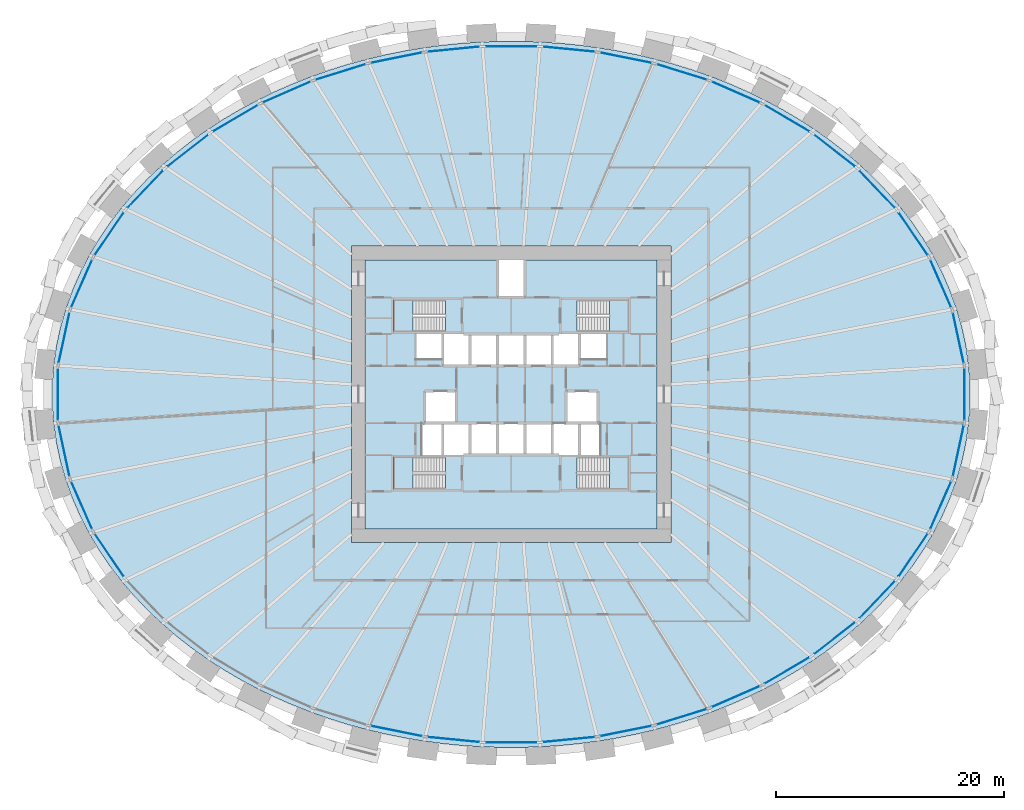
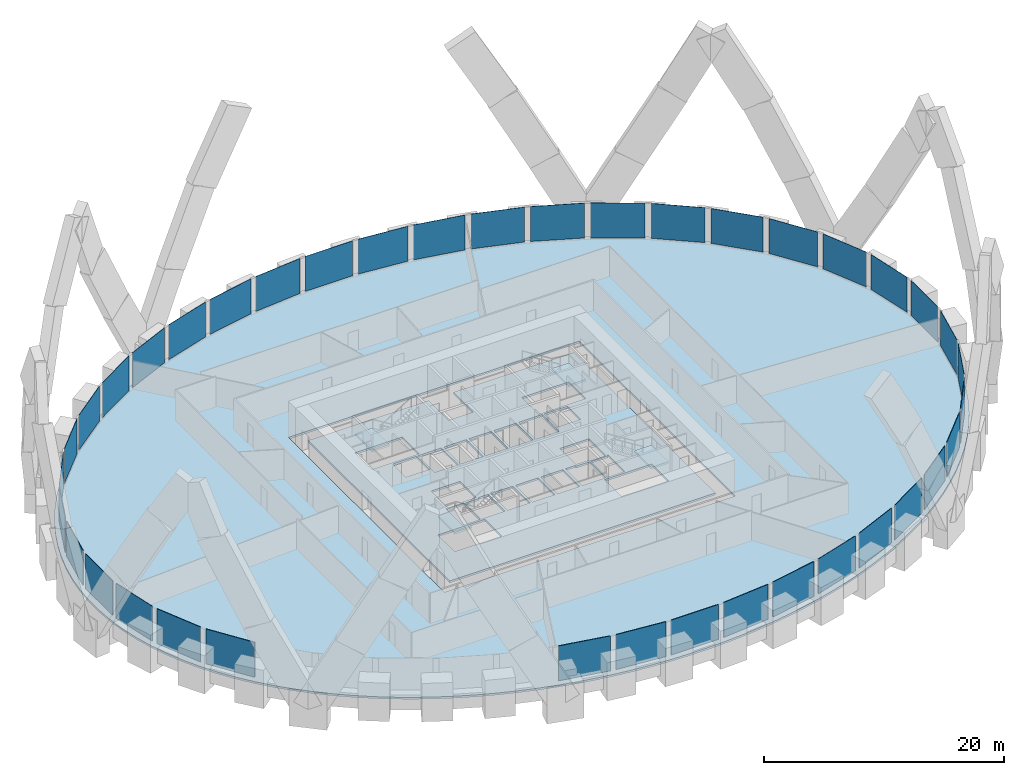
# One storey, part 6 of 12: 39 plates, 6 slabs, 5 elements without a shape of their own.
"""IFC4 building model written with IfcOpenShell, lengths in metres."""

from ifc_helpers import new_model, si_unit, direction, frame, origin, origin_2d, place, context, subcontext, project, spatial, polyline, rectangle, outline, extrude, source, transform, mapped, material, layer, layer_set, type_object, element, aggregate, save


model = new_model("IFC4")

# Units and contexts
model_context = context("Model", 3, precision=1e-05, world=origin(), true_north=direction((0.0, 1.0)))
body_context = subcontext(model_context, "Body", "Model", "MODEL_VIEW")
ifc_project = project(units=[si_unit("LENGTHUNIT", "METRE"), si_unit("AREAUNIT", "SQUARE_METRE"), si_unit("VOLUMEUNIT", "CUBIC_METRE"), si_unit("PLANEANGLEUNIT", "RADIAN"), si_unit("MASSUNIT", "GRAM", prefix="KILO")], contexts=[model_context])

# Site, building, storey
site_placement = place(None, origin())
site = spatial("IfcSite", under=ifc_project, at=site_placement, CompositionType="ELEMENT")
building_placement = place(site_placement, origin())
building = spatial("IfcBuilding", under=site, at=building_placement, Name="Embergate Tower", CompositionType="ELEMENT")
storey_placement = place(building_placement, frame((0.0, 0.0, 85.39990234375)))
storey = spatial("IfcBuildingStorey", under=building, at=storey_placement, Name="L17", CompositionType="ELEMENT", Elevation=85.39990234375)

# Slab
ifc_material_1 = material(Name="Concrete C40", Category="concrete")
ifc_layer_1 = layer(ifc_material_1, 0.199951171875)
ifc_layer_set_1 = layer_set([ifc_layer_1], Name="Concrete C40")
slab_type_1 = type_object("IfcSlabType", Name="Composite floor slab C40 200", PredefinedType="FLOOR", material=ifc_layer_set_1)
shared_shape_1 = source(origin(), body_context, "Body", "SweptSolid", [
    extrude(outline(polyline([(0.0, 0.0), (1.7021484375, 0.0), (3.404052734375, 0.054931640625), (5.10595703125, 0.166015625), (6.801025390625, 0.3330078125), (8.485107421875, 0.554931640625), (10.171142578125, 0.833984375), (11.841064453125, 1.1689453125), (13.489990234375, 1.558837890625), (15.14306640625, 2.010009765625), (16.76904296875, 2.515869140625), (18.364013671875, 3.076904296875), (19.962158203125, 3.704833984375), (21.52197265625, 4.386962890625), (23.041015625, 5.121826171875), (24.55908203125, 5.931884765625), (26.026123046875, 6.794921875), (27.441162109375, 7.708984375), (28.84619140625, 8.705810546875), (30.18798828125, 9.7529296875), (31.464111328125, 10.848876953125), (32.716064453125, 12.033935546875), (33.89111328125, 13.265869140625), (34.985107421875, 14.541015625), (36.03515625, 15.908935546875), (36.9921875, 17.31591796875), (37.85400390625, 18.759033203125), (38.64404296875, 20.286865234375), (39.3271484375, 21.844970703125), (39.902099609375, 23.428955078125), (40.376953125, 25.074951171875), (40.735107421875, 26.73779296875), (40.97412109375, 28.412841796875), (41.09619140625, 30.11181640625), (41.09619140625, 31.81201171875), (40.97412109375, 33.510986328125), (40.735107421875, 35.18603515625), (40.376953125, 36.848876953125), (39.902099609375, 38.494873046875), (39.3271484375, 40.078857421875), (38.64404296875, 41.636962890625), (37.85400390625, 43.164794921875), (36.9921875, 44.60791015625), (36.03515625, 46.014892578125), (34.985107421875, 47.3828125), (33.89111328125, 48.657958984375), (32.716064453125, 49.889892578125), (31.464111328125, 51.074951171875), (30.18798828125, 52.1708984375), (28.84619140625, 53.218017578125), (27.441162109375, 54.21484375), (26.026123046875, 55.12890625), (24.55908203125, 55.991943359375), (23.041015625, 56.802001953125), (21.52197265625, 57.536865234375), (19.962158203125, 58.218994140625), (18.364013671875, 58.846923828125), (16.76904296875, 59.407958984375), (15.14306640625, 59.913818359375), (13.489990234375, 60.364990234375), (11.841064453125, 60.7548828125), (10.171142578125, 61.08984375), (8.485107421875, 61.368896484375), (6.801025390625, 61.5908203125), (5.10595703125, 61.7578125), (3.404052734375, 61.868896484375), (1.7021484375, 61.923828125), (0.0, 61.923828125), (-1.701904296875, 61.868896484375), (-3.40380859375, 61.7578125), (-5.098876953125, 61.5908203125), (-6.782958984375, 61.368896484375), (-8.468994140625, 61.08984375), (-10.138916015625, 60.7548828125), (-11.787841796875, 60.364990234375), (-13.44091796875, 59.913818359375), (-15.06689453125, 59.407958984375), (-16.661865234375, 58.846923828125), (-18.260009765625, 58.218994140625), (-19.81982421875, 57.536865234375), (-21.3388671875, 56.802001953125), (-22.85693359375, 55.991943359375), (-24.323974609375, 55.12890625), (-25.739013671875, 54.21484375), (-27.14404296875, 53.218017578125), (-28.48583984375, 52.1708984375), (-29.761962890625, 51.074951171875), (-31.013916015625, 49.889892578125), (-32.18896484375, 48.657958984375), (-33.282958984375, 47.3828125), (-34.3330078125, 46.014892578125), (-35.2900390625, 44.60791015625), (-36.15185546875, 43.164794921875), (-36.94189453125, 41.636962890625), (-37.625, 40.078857421875), (-38.199951171875, 38.494873046875), (-38.6748046875, 36.848876953125), (-39.032958984375, 35.18603515625), (-39.27197265625, 33.510986328125), (-39.39404296875, 31.81201171875), (-39.39404296875, 30.11181640625), (-39.27197265625, 28.412841796875), (-39.032958984375, 26.73779296875), (-38.6748046875, 25.074951171875), (-38.199951171875, 23.428955078125), (-37.625, 21.844970703125), (-36.94189453125, 20.286865234375), (-36.15185546875, 18.759033203125), (-35.2900390625, 17.31591796875), (-34.3330078125, 15.908935546875), (-33.282958984375, 14.541015625), (-32.18896484375, 13.265869140625), (-31.013916015625, 12.033935546875), (-29.761962890625, 10.848876953125), (-28.48583984375, 9.7529296875), (-27.14404296875, 8.705810546875), (-25.739013671875, 7.708984375), (-24.323974609375, 6.794921875), (-22.85693359375, 5.931884765625), (-21.3388671875, 5.121826171875), (-19.81982421875, 4.386962890625), (-18.260009765625, 3.704833984375), (-16.661865234375, 3.076904296875), (-15.06689453125, 2.515869140625), (-13.44091796875, 2.010009765625), (-11.787841796875, 1.558837890625), (-10.138916015625, 1.1689453125), (-8.468994140625, 0.833984375), (-6.782958984375, 0.554931640625), (-5.098876953125, 0.3330078125), (-3.40380859375, 0.166015625), (-1.701904296875, 0.054931640625), (0.0, 0.0)]), holes=[polyline([(-13.14892578125, 17.9619140625), (-13.14892578125, 43.9619140625), (14.85107421875, 43.9619140625), (14.85107421875, 17.9619140625), (-13.14892578125, 17.9619140625)])]), origin(), (0.0, 0.0, 1.0), 0.199951171875),
])
slab_1_placement = place(storey_placement, frame((-0.85107421875, -30.9619140625, -0.199951171875)))
element("IfcSlab", 1, at=slab_1_placement, inside=storey, type_object=slab_type_1, Name="SLB-L17-00", PredefinedType="FLOOR", context=body_context, shape_type="MappedRepresentation", body=[
    mapped(shared_shape_1, transform((0.0, 0.0, 0.0))),
])

# Curtain wall, plates
ifc_material_2 = material(Name="Aluminium and glass", Category="aluminium")
curtain_wall_type = type_object("IfcCurtainWallType", Name="Recessed office glazing", PredefinedType="NOTDEFINED", material=ifc_material_2)
curtain_wall_placement = place(storey_placement, origin())
curtain_wall = element("IfcCurtainWall", 2, at=curtain_wall_placement, inside=storey, type_object=curtain_wall_type, Name="Recessed office glazing ring", ObjectType="RECESSED OFFICE GLAZING", PredefinedType="USERDEFINED")
ifc_material_3 = material(Name="Triple glazing, low-emissivity coating", Category="glass")
ifc_layer_2 = layer(ifc_material_3, 0.035888671875)
ifc_layer_set_2 = layer_set([ifc_layer_2], Name="Triple glazing, low-emissivity coating")
plate_type = type_object("IfcPlateType", Name="Office glazing unit", PredefinedType="CURTAIN_PANEL", material=ifc_layer_set_2)
shared_shape_2 = source(origin(), body_context, "Body", "SweptSolid", [
    extrude(rectangle(XDim=4.529296875, YDim=0.035888671875, at=origin_2d()), origin(), (0.0, 0.0, 1.0), 3.550048828125),
])
plate_1_placement = place(storey_placement, frame((28.36181640625, 21.376953125, 0.14990234375), z_axis=(0.0, 0.0, 1.0), x_axis=(-0.788321193094, 0.615263924279, 0.0)))
plate_1 = element("IfcPlate", 3, at=plate_1_placement, type_object=plate_type, Name="CW panel 5.1", PredefinedType="CURTAIN_PANEL", context=body_context, shape_type="MappedRepresentation", body=[
    mapped(shared_shape_2, transform((0.0, 0.0, 0.0))),
])
plate_2_placement = place(storey_placement, frame((-28.36181640625, 21.376953125, 0.14990234375), z_axis=(0.0, 0.0, 1.0), x_axis=(-0.788321193094, -0.615263924279, 0.0)))
plate_2 = element("IfcPlate", 4, at=plate_2_placement, type_object=plate_type, Name="CW panel 17.1", PredefinedType="CURTAIN_PANEL", context=body_context, shape_type="MappedRepresentation", body=[
    mapped(shared_shape_2, transform((0.0, 0.0, 0.0))),
])
plate_3_placement = place(storey_placement, frame((28.36181640625, -21.376953125, 0.14990234375), z_axis=(0.0, 0.0, 1.0), x_axis=(0.788321193094, 0.615263924279, 0.0)))
plate_3 = element("IfcPlate", 5, at=plate_3_placement, type_object=plate_type, Name="CW panel 39.1", PredefinedType="CURTAIN_PANEL", context=body_context, shape_type="MappedRepresentation", body=[
    mapped(shared_shape_2, transform((0.0, 0.0, 0.0))),
])
shared_shape_3 = source(origin(), body_context, "Body", "SweptSolid", [
    extrude(rectangle(XDim=4.4970703125, YDim=0.035888671875, at=origin_2d()), origin(), (0.0, 0.0, 1.0), 3.550048828125),
])
plate_4_placement = place(storey_placement, frame((39.2080078125, 4.959716796875, 0.14990234375), z_axis=(0.0, 0.0, 1.0), x_axis=(-0.210398391177, 0.97761573074, 0.0)))
plate_4 = element("IfcPlate", 6, at=plate_4_placement, type_object=plate_type, Name="CW panel 1.1", PredefinedType="CURTAIN_PANEL", context=body_context, shape_type="MappedRepresentation", body=[
    mapped(shared_shape_3, transform((0.0, 0.0, 0.0))),
])
plate_5_placement = place(storey_placement, frame((-39.2080078125, 4.959716796875, 0.14990234375), z_axis=(0.0, 0.0, 1.0), x_axis=(-0.210398391177, -0.97761573074, 0.0)))
plate_5 = element("IfcPlate", 7, at=plate_5_placement, type_object=plate_type, Name="CW panel 21.1", PredefinedType="CURTAIN_PANEL", context=body_context, shape_type="MappedRepresentation", body=[
    mapped(shared_shape_3, transform((0.0, 0.0, 0.0))),
])
plate_6_placement = place(storey_placement, frame((-39.2080078125, -4.959716796875, 0.14990234375), z_axis=(0.0, 0.0, 1.0), x_axis=(0.210398391177, -0.97761573074, 0.0)))
plate_6 = element("IfcPlate", 8, at=plate_6_placement, type_object=plate_type, Name="CW panel 23.1", PredefinedType="CURTAIN_PANEL", context=body_context, shape_type="MappedRepresentation", body=[
    mapped(shared_shape_3, transform((0.0, 0.0, 0.0))),
])
plate_7_placement = place(storey_placement, frame((39.2080078125, -4.959716796875, 0.14990234375), z_axis=(0.0, 0.0, 1.0), x_axis=(0.210398391177, 0.97761573074, 0.0)))
plate_7 = element("IfcPlate", 9, at=plate_7_placement, type_object=plate_type, Name="CW panel 43.1", PredefinedType="CURTAIN_PANEL", context=body_context, shape_type="MappedRepresentation", body=[
    mapped(shared_shape_3, transform((0.0, 0.0, 0.0))),
])
shared_shape_4 = source(origin(), body_context, "Body", "SweptSolid", [
    extrude(rectangle(XDim=4.504150390625, YDim=0.035888671875, at=origin_2d()), origin(), (0.0, 0.0, 1.0), 3.550048828125),
])
plate_8_placement = place(storey_placement, frame((37.671142578125, 9.71240234375, 0.14990234375), z_axis=(0.0, 0.0, 1.0), x_axis=(-0.401652101157, 0.91579232888, 0.0)))
plate_8 = element("IfcPlate", 10, at=plate_8_placement, type_object=plate_type, Name="CW panel 2.1", PredefinedType="CURTAIN_PANEL", context=body_context, shape_type="MappedRepresentation", body=[
    mapped(shared_shape_4, transform((0.0, 0.0, 0.0))),
])
plate_9_placement = place(storey_placement, frame((-37.671142578125, 9.71240234375, 0.14990234375), z_axis=(0.0, 0.0, 1.0), x_axis=(-0.401652101157, -0.91579232888, 0.0)))
plate_9 = element("IfcPlate", 11, at=plate_9_placement, type_object=plate_type, Name="CW panel 20.1", PredefinedType="CURTAIN_PANEL", context=body_context, shape_type="MappedRepresentation", body=[
    mapped(shared_shape_4, transform((0.0, 0.0, 0.0))),
])
plate_10_placement = place(storey_placement, frame((-37.671142578125, -9.71240234375, 0.14990234375), z_axis=(0.0, 0.0, 1.0), x_axis=(0.401652101157, -0.91579232888, 0.0)))
plate_10 = element("IfcPlate", 12, at=plate_10_placement, type_object=plate_type, Name="CW panel 24.1", PredefinedType="CURTAIN_PANEL", context=body_context, shape_type="MappedRepresentation", body=[
    mapped(shared_shape_4, transform((0.0, 0.0, 0.0))),
])
plate_11_placement = place(storey_placement, frame((37.671142578125, -9.71240234375, 0.14990234375), z_axis=(0.0, 0.0, 1.0), x_axis=(0.401652101157, 0.91579232888, 0.0)))
plate_11 = element("IfcPlate", 13, at=plate_11_placement, type_object=plate_type, Name="CW panel 42.1", PredefinedType="CURTAIN_PANEL", context=body_context, shape_type="MappedRepresentation", body=[
    mapped(shared_shape_4, transform((0.0, 0.0, 0.0))),
])
shared_shape_5 = source(origin(), body_context, "Body", "SweptSolid", [
    extrude(rectangle(XDim=4.51318359375, YDim=0.035888671875, at=origin_2d()), origin(), (0.0, 0.0, 1.0), 3.550048828125),
])
plate_12_placement = place(storey_placement, frame((35.246826171875, 14.093994140625, 0.14990234375), z_axis=(0.0, 0.0, 1.0), x_axis=(-0.562343185136, 0.826903949762, 0.0)))
plate_12 = element("IfcPlate", 14, at=plate_12_placement, type_object=plate_type, Name="CW panel 3.1", PredefinedType="CURTAIN_PANEL", context=body_context, shape_type="MappedRepresentation", body=[
    mapped(shared_shape_5, transform((0.0, 0.0, 0.0))),
])
plate_13_placement = place(storey_placement, frame((-35.246826171875, 14.093994140625, 0.14990234375), z_axis=(0.0, 0.0, 1.0), x_axis=(-0.562343185136, -0.826903949762, 0.0)))
plate_13 = element("IfcPlate", 15, at=plate_13_placement, type_object=plate_type, Name="CW panel 19.1", PredefinedType="CURTAIN_PANEL", context=body_context, shape_type="MappedRepresentation", body=[
    mapped(shared_shape_5, transform((0.0, 0.0, 0.0))),
])
plate_14_placement = place(storey_placement, frame((-35.246826171875, -14.093994140625, 0.14990234375), z_axis=(0.0, 0.0, 1.0), x_axis=(0.562343185136, -0.826903949762, 0.0)))
plate_14 = element("IfcPlate", 16, at=plate_14_placement, type_object=plate_type, Name="CW panel 25.1", PredefinedType="CURTAIN_PANEL", context=body_context, shape_type="MappedRepresentation", body=[
    mapped(shared_shape_5, transform((0.0, 0.0, 0.0))),
])
plate_15_placement = place(storey_placement, frame((35.246826171875, -14.093994140625, 0.14990234375), z_axis=(0.0, 0.0, 1.0), x_axis=(0.562343185136, 0.826903949762, 0.0)))
plate_15 = element("IfcPlate", 17, at=plate_15_placement, type_object=plate_type, Name="CW panel 41.1", PredefinedType="CURTAIN_PANEL", context=body_context, shape_type="MappedRepresentation", body=[
    mapped(shared_shape_5, transform((0.0, 0.0, 0.0))),
])
shared_shape_6 = source(origin(), body_context, "Body", "SweptSolid", [
    extrude(rectangle(XDim=4.52197265625, YDim=0.035888671875, at=origin_2d()), origin(), (0.0, 0.0, 1.0), 3.550048828125),
])
plate_16_placement = place(storey_placement, frame((32.092041015625, 17.999267578125, 0.14990234375), z_axis=(0.0, 0.0, 1.0), x_axis=(-0.690135047526, 0.723680603703, 0.0)))
plate_16 = element("IfcPlate", 18, at=plate_16_placement, type_object=plate_type, Name="CW panel 4.1", PredefinedType="CURTAIN_PANEL", context=body_context, shape_type="MappedRepresentation", body=[
    mapped(shared_shape_6, transform((0.0, 0.0, 0.0))),
])
plate_17_placement = place(storey_placement, frame((-32.092041015625, 17.999267578125, 0.14990234375), z_axis=(0.0, 0.0, 1.0), x_axis=(-0.690135047526, -0.723680603703, 0.0)))
plate_17 = element("IfcPlate", 19, at=plate_17_placement, type_object=plate_type, Name="CW panel 18.1", PredefinedType="CURTAIN_PANEL", context=body_context, shape_type="MappedRepresentation", body=[
    mapped(shared_shape_6, transform((0.0, 0.0, 0.0))),
])
plate_18_placement = place(storey_placement, frame((32.092041015625, -17.999267578125, 0.14990234375), z_axis=(0.0, 0.0, 1.0), x_axis=(0.690135047526, 0.723680603703, 0.0)))
plate_18 = element("IfcPlate", 20, at=plate_18_placement, type_object=plate_type, Name="CW panel 40.1", PredefinedType="CURTAIN_PANEL", context=body_context, shape_type="MappedRepresentation", body=[
    mapped(shared_shape_6, transform((0.0, 0.0, 0.0))),
])
shared_shape_7 = source(origin(), body_context, "Body", "SweptSolid", [
    extrude(rectangle(XDim=4.535400390625, YDim=0.035888671875, at=origin_2d()), origin(), (0.0, 0.0, 1.0), 3.550048828125),
])
plate_19_placement = place(storey_placement, frame((24.192626953125, 24.21142578125, 0.14990234375), z_axis=(0.0, 0.0, 1.0), x_axis=(-0.862053167811, 0.50681785275, 0.0)))
plate_19 = element("IfcPlate", 21, at=plate_19_placement, type_object=plate_type, Name="CW panel 6.1", PredefinedType="CURTAIN_PANEL", context=body_context, shape_type="MappedRepresentation", body=[
    mapped(shared_shape_7, transform((0.0, 0.0, 0.0))),
])
plate_20_placement = place(storey_placement, frame((-24.192626953125, 24.21142578125, 0.14990234375), z_axis=(0.0, 0.0, 1.0), x_axis=(-0.862053167811, -0.50681785275, 0.0)))
plate_20 = element("IfcPlate", 22, at=plate_20_placement, type_object=plate_type, Name="CW panel 16.1", PredefinedType="CURTAIN_PANEL", context=body_context, shape_type="MappedRepresentation", body=[
    mapped(shared_shape_7, transform((0.0, 0.0, 0.0))),
])
plate_21_placement = place(storey_placement, frame((24.192626953125, -24.21142578125, 0.14990234375), z_axis=(0.0, 0.0, 1.0), x_axis=(0.862053167811, 0.50681785275, 0.0)))
plate_21 = element("IfcPlate", 23, at=plate_21_placement, type_object=plate_type, Name="CW panel 38.1", PredefinedType="CURTAIN_PANEL", context=body_context, shape_type="MappedRepresentation", body=[
    mapped(shared_shape_7, transform((0.0, 0.0, 0.0))),
])
shared_shape_8 = source(origin(), body_context, "Body", "SweptSolid", [
    extrude(rectangle(XDim=4.5400390625, YDim=0.035888671875, at=origin_2d()), origin(), (0.0, 0.0, 1.0), 3.550048828125),
])
plate_22_placement = place(storey_placement, frame((19.6953125, 26.506103515625, 0.14990234375), z_axis=(0.0, 0.0, 1.0), x_axis=(-0.916236211741, 0.400638495772, 0.0)))
plate_22 = element("IfcPlate", 24, at=plate_22_placement, type_object=plate_type, Name="CW panel 7.1", PredefinedType="CURTAIN_PANEL", context=body_context, shape_type="MappedRepresentation", body=[
    mapped(shared_shape_8, transform((0.0, 0.0, 0.0))),
])
plate_23_placement = place(storey_placement, frame((-19.6953125, 26.506103515625, 0.14990234375), z_axis=(0.0, 0.0, 1.0), x_axis=(-0.916236211741, -0.400638495772, 0.0)))
plate_23 = element("IfcPlate", 25, at=plate_23_placement, type_object=plate_type, Name="CW panel 15.1", PredefinedType="CURTAIN_PANEL", context=body_context, shape_type="MappedRepresentation", body=[
    mapped(shared_shape_8, transform((0.0, 0.0, 0.0))),
])
plate_24_placement = place(storey_placement, frame((19.6953125, -26.506103515625, 0.14990234375), z_axis=(0.0, 0.0, 1.0), x_axis=(0.916236211741, 0.400638495772, 0.0)))
plate_24 = element("IfcPlate", 26, at=plate_24_placement, type_object=plate_type, Name="CW panel 37.1", PredefinedType="CURTAIN_PANEL", context=body_context, shape_type="MappedRepresentation", body=[
    mapped(shared_shape_8, transform((0.0, 0.0, 0.0))),
])
shared_shape_9 = source(origin(), body_context, "Body", "SweptSolid", [
    extrude(rectangle(XDim=4.54345703125, YDim=0.035888671875, at=origin_2d()), origin(), (0.0, 0.0, 1.0), 3.550048828125),
])
plate_25_placement = place(storey_placement, frame((14.960205078125, 28.272705078125, 0.14990234375), z_axis=(0.0, 0.0, 1.0), x_axis=(-0.954772217174, 0.297338213676, 0.0)))
plate_25 = element("IfcPlate", 27, at=plate_25_placement, type_object=plate_type, Name="CW panel 8.1", PredefinedType="CURTAIN_PANEL", context=body_context, shape_type="MappedRepresentation", body=[
    mapped(shared_shape_9, transform((0.0, 0.0, 0.0))),
])
plate_26_placement = place(storey_placement, frame((-14.960205078125, 28.272705078125, 0.14990234375), z_axis=(0.0, 0.0, 1.0), x_axis=(-0.954772217174, -0.297338213676, 0.0)))
plate_26 = element("IfcPlate", 28, at=plate_26_placement, type_object=plate_type, Name="CW panel 14.1", PredefinedType="CURTAIN_PANEL", context=body_context, shape_type="MappedRepresentation", body=[
    mapped(shared_shape_9, transform((0.0, 0.0, 0.0))),
])
plate_27_placement = place(storey_placement, frame((14.960205078125, -28.272705078125, 0.14990234375), z_axis=(0.0, 0.0, 1.0), x_axis=(0.954772217174, 0.297338213676, 0.0)))
plate_27 = element("IfcPlate", 29, at=plate_27_placement, type_object=plate_type, Name="CW panel 36.1", PredefinedType="CURTAIN_PANEL", context=body_context, shape_type="MappedRepresentation", body=[
    mapped(shared_shape_9, transform((0.0, 0.0, 0.0))),
])
shared_shape_10 = source(origin(), body_context, "Body", "SweptSolid", [
    extrude(rectangle(XDim=4.545654296875, YDim=0.035888671875, at=origin_2d()), origin(), (0.0, 0.0, 1.0), 3.550048828125),
])
plate_28_placement = place(storey_placement, frame((10.0595703125, 29.5234375, 0.14990234375), z_axis=(0.0, 0.0, 1.0), x_axis=(-0.980475907409, 0.196639250889, 0.0)))
plate_28 = element("IfcPlate", 30, at=plate_28_placement, type_object=plate_type, Name="CW panel 9.1", PredefinedType="CURTAIN_PANEL", context=body_context, shape_type="MappedRepresentation", body=[
    mapped(shared_shape_10, transform((0.0, 0.0, 0.0))),
])
plate_29_placement = place(storey_placement, frame((-10.0595703125, 29.5234375, 0.14990234375), z_axis=(0.0, 0.0, 1.0), x_axis=(-0.980475907409, -0.196639250889, 0.0)))
plate_29 = element("IfcPlate", 31, at=plate_29_placement, type_object=plate_type, Name="CW panel 13.1", PredefinedType="CURTAIN_PANEL", context=body_context, shape_type="MappedRepresentation", body=[
    mapped(shared_shape_10, transform((0.0, 0.0, 0.0))),
])
plate_30_placement = place(storey_placement, frame((-10.0595703125, -29.5234375, 0.14990234375), z_axis=(0.0, 0.0, 1.0), x_axis=(0.980475907409, -0.196639250889, 0.0)))
plate_30 = element("IfcPlate", 32, at=plate_30_placement, type_object=plate_type, Name="CW panel 31.1", PredefinedType="CURTAIN_PANEL", context=body_context, shape_type="MappedRepresentation", body=[
    mapped(shared_shape_10, transform((0.0, 0.0, 0.0))),
])
plate_31_placement = place(storey_placement, frame((10.0595703125, -29.5234375, 0.14990234375), z_axis=(0.0, 0.0, 1.0), x_axis=(0.980475907409, 0.196639250889, 0.0)))
plate_31 = element("IfcPlate", 33, at=plate_31_placement, type_object=plate_type, Name="CW panel 35.1", PredefinedType="CURTAIN_PANEL", context=body_context, shape_type="MappedRepresentation", body=[
    mapped(shared_shape_10, transform((0.0, 0.0, 0.0))),
])
shared_shape_11 = source(origin(), body_context, "Body", "SweptSolid", [
    extrude(rectangle(XDim=4.546875, YDim=0.035888671875, at=origin_2d()), origin(), (0.0, 0.0, 1.0), 3.550048828125),
])
plate_32_placement = place(storey_placement, frame((5.054931640625, 30.269287109375, 0.14990234375), z_axis=(0.0, 0.0, 1.0), x_axis=(-0.995203184788, 0.097829550688, 0.0)))
plate_32 = element("IfcPlate", 34, at=plate_32_placement, type_object=plate_type, Name="CW panel 10.1", PredefinedType="CURTAIN_PANEL", context=body_context, shape_type="MappedRepresentation", body=[
    mapped(shared_shape_11, transform((0.0, 0.0, 0.0))),
])
plate_33_placement = place(storey_placement, frame((-5.054931640625, 30.269287109375, 0.14990234375), z_axis=(0.0, 0.0, 1.0), x_axis=(-0.995203184788, -0.097829550688, 0.0)))
plate_33 = element("IfcPlate", 35, at=plate_33_placement, type_object=plate_type, Name="CW panel 12.1", PredefinedType="CURTAIN_PANEL", context=body_context, shape_type="MappedRepresentation", body=[
    mapped(shared_shape_11, transform((0.0, 0.0, 0.0))),
])
plate_34_placement = place(storey_placement, frame((-5.054931640625, -30.269287109375, 0.14990234375), z_axis=(0.0, 0.0, 1.0), x_axis=(0.995203184788, -0.097829550688, 0.0)))
plate_34 = element("IfcPlate", 36, at=plate_34_placement, type_object=plate_type, Name="CW panel 32.1", PredefinedType="CURTAIN_PANEL", context=body_context, shape_type="MappedRepresentation", body=[
    mapped(shared_shape_11, transform((0.0, 0.0, 0.0))),
])
plate_35_placement = place(storey_placement, frame((5.054931640625, -30.269287109375, 0.14990234375), z_axis=(0.0, 0.0, 1.0), x_axis=(0.995203184788, 0.097829550688, 0.0)))
plate_35 = element("IfcPlate", 37, at=plate_35_placement, type_object=plate_type, Name="CW panel 34.1", PredefinedType="CURTAIN_PANEL", context=body_context, shape_type="MappedRepresentation", body=[
    mapped(shared_shape_11, transform((0.0, 0.0, 0.0))),
])
shared_shape_12 = source(origin(), body_context, "Body", "SweptSolid", [
    extrude(rectangle(XDim=4.54736328125, YDim=0.035888671875, at=origin_2d()), origin(), (0.0, 0.0, 1.0), 3.550048828125),
])
plate_36_placement = place(storey_placement, frame((0.0, 30.51708984375, 0.14990234375), z_axis=(0.0, 0.0, 1.0), x_axis=(-1.0, 0.0, 0.0)))
plate_36 = element("IfcPlate", 38, at=plate_36_placement, type_object=plate_type, Name="CW panel 11.1", PredefinedType="CURTAIN_PANEL", context=body_context, shape_type="MappedRepresentation", body=[
    mapped(shared_shape_12, transform((0.0, 0.0, 0.0))),
])
plate_37_placement = place(storey_placement, frame((0.0, -30.51708984375, 0.14990234375), z_axis=(0.0, 0.0, 1.0), x_axis=(1.0, 0.0, 0.0)))
plate_37 = element("IfcPlate", 39, at=plate_37_placement, type_object=plate_type, Name="CW panel 33.1", PredefinedType="CURTAIN_PANEL", context=body_context, shape_type="MappedRepresentation", body=[
    mapped(shared_shape_12, transform((0.0, 0.0, 0.0))),
])
shared_shape_13 = source(origin(), body_context, "Body", "SweptSolid", [
    extrude(rectangle(XDim=4.494384765625, YDim=0.035888671875, at=origin_2d()), origin(), (0.0, 0.0, 1.0), 3.550048828125),
])
plate_38_placement = place(storey_placement, frame((-39.735595703125, 0.0, 0.14990234375), z_axis=(0.0, 0.0, 1.0), x_axis=(0.0, -1.0, 0.0)))
plate_38 = element("IfcPlate", 40, at=plate_38_placement, type_object=plate_type, Name="CW panel 22.1", PredefinedType="CURTAIN_PANEL", context=body_context, shape_type="MappedRepresentation", body=[
    mapped(shared_shape_13, transform((0.0, 0.0, 0.0))),
])
plate_39_placement = place(storey_placement, frame((39.735595703125, 0.0, 0.14990234375), z_axis=(0.0, 0.0, 1.0), x_axis=(0.0, 1.0, 0.0)))
plate_39 = element("IfcPlate", 41, at=plate_39_placement, type_object=plate_type, Name="CW panel 44.1", PredefinedType="CURTAIN_PANEL", context=body_context, shape_type="MappedRepresentation", body=[
    mapped(shared_shape_13, transform((0.0, 0.0, 0.0))),
])
aggregate(curtain_wall, [plate_4, plate_8, plate_12, plate_16, plate_1, plate_19, plate_22, plate_25, plate_28, plate_32, plate_36, plate_33, plate_29, plate_26, plate_23, plate_20, plate_2, plate_17, plate_13, plate_9, plate_5, plate_38, plate_6, plate_10, plate_14, plate_30, plate_34, plate_37, plate_35, plate_31, plate_27, plate_24, plate_21, plate_3, plate_18, plate_15, plate_11, plate_7, plate_39])

# Stair, slab
ifc_material_4 = material(Name="Exit stair")
stair_type = type_object("IfcStairType", Name="Exit stair", PredefinedType="HALF_TURN_STAIR", material=ifc_material_4)
stair_1_placement = place(storey_placement, origin())
stair_1 = element("IfcStair", 42, at=stair_1_placement, inside=storey, type_object=stair_type, Name="L17 Exit stair 1", PredefinedType="HALF_TURN_STAIR")
ifc_layer_3 = layer(ifc_material_1, 0.199951171875)
ifc_layer_set_3 = layer_set([ifc_layer_3], Name="Concrete C40")
slab_type_2 = type_object("IfcSlabType", Name="Stair landing reinforced concrete", PredefinedType="LANDING", material=ifc_layer_set_3)
shared_shape_14 = source(origin(), body_context, "Body", "SweptSolid", [
    extrude(outline(polyline([(0.0, 0.0), (1.68994140625, 0.0), (1.68994140625, 2.800048828125), (0.0, 2.800048828125), (0.0, 0.0)])), origin(), (0.0, 0.0, 1.0), 0.2001953125),
])
slab_2_placement = place(storey_placement, frame((-10.300048828125, 5.5, 1.75)))
slab_2 = element("IfcSlab", 43, at=slab_2_placement, type_object=slab_type_2, Name="ST1 landing 1", PredefinedType="LANDING", context=body_context, shape_type="MappedRepresentation", body=[
    mapped(shared_shape_14, transform((0.0, 0.0, 0.0))),
])
aggregate(stair_1, [slab_2])

stair_2_placement = place(storey_placement, origin())
stair_2 = element("IfcStair", 44, at=stair_2_placement, inside=storey, type_object=stair_type, Name="L17 Exit stair 2", PredefinedType="HALF_TURN_STAIR")
slab_3_placement = place(storey_placement, frame((8.610107421875, 5.5, 1.75)))
slab_3 = element("IfcSlab", 45, at=slab_3_placement, type_object=slab_type_2, Name="ST2 landing 1", PredefinedType="LANDING", context=body_context, shape_type="MappedRepresentation", body=[
    mapped(shared_shape_14, transform((0.0, 0.0, 0.0))),
])
aggregate(stair_2, [slab_3])

stair_3_placement = place(storey_placement, origin())
stair_3 = element("IfcStair", 46, at=stair_3_placement, inside=storey, type_object=stair_type, Name="L17 Exit stair 3", PredefinedType="HALF_TURN_STAIR")
slab_4_placement = place(storey_placement, frame((-10.300048828125, -8.300048828125, 1.75)))
slab_4 = element("IfcSlab", 47, at=slab_4_placement, type_object=slab_type_2, Name="ST3 landing 1", PredefinedType="LANDING", context=body_context, shape_type="MappedRepresentation", body=[
    mapped(shared_shape_14, transform((0.0, 0.0, 0.0))),
])
aggregate(stair_3, [slab_4])

stair_4_placement = place(storey_placement, origin())
stair_4 = element("IfcStair", 48, at=stair_4_placement, inside=storey, type_object=stair_type, Name="L17 Exit stair 4", PredefinedType="HALF_TURN_STAIR")
slab_5_placement = place(storey_placement, frame((8.610107421875, -8.300048828125, 1.75)))
slab_5 = element("IfcSlab", 49, at=slab_5_placement, type_object=slab_type_2, Name="ST4 landing 1", PredefinedType="LANDING", context=body_context, shape_type="MappedRepresentation", body=[
    mapped(shared_shape_14, transform((0.0, 0.0, 0.0))),
])
aggregate(stair_4, [slab_5])

# Slab
ifc_layer_4 = layer(ifc_material_1, 0.199951171875)
ifc_layer_set_4 = layer_set([ifc_layer_4], Name="Concrete C40")
slab_type_3 = type_object("IfcSlabType", Name="Core floor slab 200 reinforced concrete", PredefinedType="FLOOR", material=ifc_layer_set_4)
shared_shape_15 = source(origin(), body_context, "Body", "SweptSolid", [
    extrude(outline(polyline([(0.0, 0.0), (25.60009765625, 0.0), (25.60009765625, 23.60009765625), (14.0, 23.60009765625), (14.0, 20.300048828125), (11.60009765625, 20.300048828125), (11.60009765625, 23.60009765625), (0.0, 23.60009765625), (0.0, 0.0)]), holes=[polyline([(2.5, 3.5), (2.5, 6.300048828125), (7.0400390625, 6.300048828125), (7.0400390625, 3.5), (2.5, 3.5)]), polyline([(18.56005859375, 3.5), (18.56005859375, 6.300048828125), (23.10009765625, 6.300048828125), (23.10009765625, 3.5), (18.56005859375, 3.5)]), polyline([(5.0, 6.5), (5.0, 9.300048828125), (5.074951171875, 9.300048828125), (5.074951171875, 9.175048828125), (6.675048828125, 9.175048828125), (6.675048828125, 6.5), (5.0, 6.5)]), polyline([(6.800048828125, 6.5), (6.800048828125, 9.175048828125), (8.125, 9.175048828125), (8.125, 9.300048828125), (9.074951171875, 9.300048828125), (9.074951171875, 6.5), (6.800048828125, 6.5)]), polyline([(9.324951171875, 6.5), (9.324951171875, 9.300048828125), (11.47509765625, 9.300048828125), (11.47509765625, 6.5), (9.324951171875, 6.5)]), polyline([(11.72509765625, 6.5), (11.72509765625, 9.300048828125), (13.875, 9.300048828125), (13.875, 6.5), (11.72509765625, 6.5)]), polyline([(14.125, 6.5), (14.125, 9.300048828125), (16.275146484375, 9.300048828125), (16.275146484375, 6.5), (14.125, 6.5)]), polyline([(16.525146484375, 6.5), (16.525146484375, 9.300048828125), (17.47509765625, 9.300048828125), (17.47509765625, 9.175048828125), (18.800048828125, 9.175048828125), (18.800048828125, 6.5), (16.525146484375, 6.5)]), polyline([(18.925048828125, 6.5), (18.925048828125, 9.175048828125), (20.525146484375, 9.175048828125), (20.525146484375, 9.300048828125), (20.60009765625, 9.300048828125), (20.60009765625, 6.5), (18.925048828125, 6.5)]), polyline([(5.199951171875, 9.300048828125), (5.199951171875, 12.10009765625), (8.0, 12.10009765625), (8.0, 9.425048828125), (6.675048828125, 9.425048828125), (6.675048828125, 9.300048828125), (5.199951171875, 9.300048828125)]), polyline([(18.925048828125, 9.300048828125), (18.925048828125, 9.425048828125), (17.60009765625, 9.425048828125), (17.60009765625, 12.10009765625), (20.400146484375, 12.10009765625), (20.400146484375, 9.300048828125), (18.925048828125, 9.300048828125)]), polyline([(6.800048828125, 14.300048828125), (6.800048828125, 17.10009765625), (9.074951171875, 17.10009765625), (9.074951171875, 14.300048828125), (6.800048828125, 14.300048828125)]), polyline([(9.324951171875, 14.300048828125), (9.324951171875, 17.10009765625), (11.47509765625, 17.10009765625), (11.47509765625, 14.300048828125), (9.324951171875, 14.300048828125)]), polyline([(11.72509765625, 14.300048828125), (11.72509765625, 17.10009765625), (13.875, 17.10009765625), (13.875, 14.300048828125), (11.72509765625, 14.300048828125)]), polyline([(14.125, 14.300048828125), (14.125, 17.10009765625), (16.275146484375, 17.10009765625), (16.275146484375, 14.300048828125), (14.125, 14.300048828125)]), polyline([(16.525146484375, 14.300048828125), (16.525146484375, 17.10009765625), (18.800048828125, 17.10009765625), (18.800048828125, 14.300048828125), (16.525146484375, 14.300048828125)]), polyline([(4.400146484375, 14.900146484375), (4.400146484375, 17.10009765625), (6.675048828125, 17.10009765625), (6.675048828125, 14.900146484375), (4.400146484375, 14.900146484375)]), polyline([(18.925048828125, 14.900146484375), (18.925048828125, 17.10009765625), (21.199951171875, 17.10009765625), (21.199951171875, 14.900146484375), (18.925048828125, 14.900146484375)]), polyline([(2.5, 17.300048828125), (2.5, 20.10009765625), (7.0400390625, 20.10009765625), (7.0400390625, 17.300048828125), (2.5, 17.300048828125)]), polyline([(18.56005859375, 17.300048828125), (18.56005859375, 20.10009765625), (23.10009765625, 20.10009765625), (23.10009765625, 17.300048828125), (18.56005859375, 17.300048828125)])]), origin(), (0.0, 0.0, 1.0), 0.199951171875),
])
slab_6_placement = place(storey_placement, frame((-12.800048828125, -11.800048828125, -0.199951171875)))
element("IfcSlab", 50, at=slab_6_placement, inside=storey, type_object=slab_type_3, Name="Core floor slab", PredefinedType="FLOOR", context=body_context, shape_type="MappedRepresentation", body=[
    mapped(shared_shape_15, transform((0.0, 0.0, 0.0))),
])

save(model, "model.ifc")
